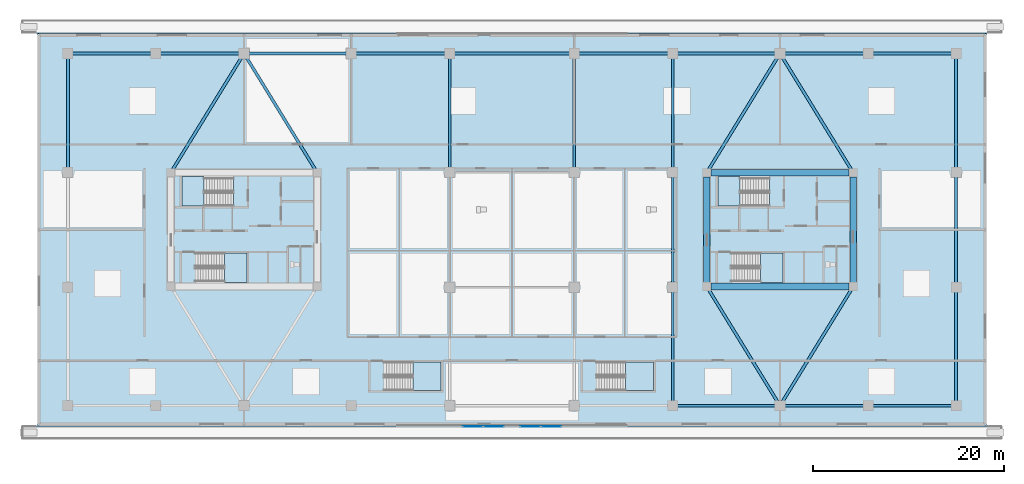
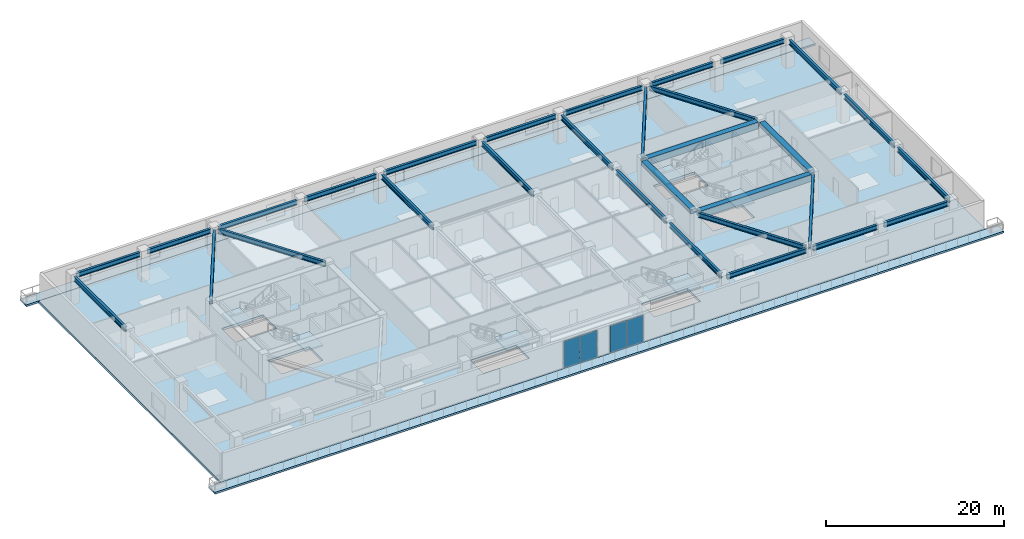
# One storey, part 3 of 22: 31 beams, 9 slabs, 4 plates, 8 elements without a shape of their own.
"""IFC4 building model written with IfcOpenShell, lengths in metres."""

from ifc_helpers import new_model, si_unit, direction, frame, origin, origin_2d, place, context, subcontext, project, spatial, polyline, rectangle, i_section, outline, extrude, source, transform, mapped, material, layer, layer_set, material_profile, profile_set, type_object, type_shapes, element, aggregate, save


model = new_model("IFC4")

# Units and contexts
model_context = context("Model", 3, precision=1e-05, world=origin(), true_north=direction((0.0, 1.0)))
body_context = subcontext(model_context, "Body", "Model", "MODEL_VIEW")
ifc_project = project(units=[si_unit("LENGTHUNIT", "METRE"), si_unit("AREAUNIT", "SQUARE_METRE"), si_unit("VOLUMEUNIT", "CUBIC_METRE"), si_unit("PLANEANGLEUNIT", "RADIAN"), si_unit("MASSUNIT", "GRAM", prefix="KILO")], contexts=[model_context])

# Site, building, storey
site_placement = place(None, origin())
site = spatial("IfcSite", under=ifc_project, at=site_placement, CompositionType="ELEMENT")
building_placement = place(site_placement, origin())
building = spatial("IfcBuilding", under=site, at=building_placement, Name="Norrkilde Senior Care Towers", CompositionType="ELEMENT")
storey_placement = place(building_placement, frame((0.0, 0.0, 12.60009765625)))
storey = spatial("IfcBuildingStorey", under=building, at=storey_placement, Name="L03", CompositionType="ELEMENT", Elevation=12.60009765625)

# Beams
ifc_material_1 = material(Name="Concrete C60/75", Category="concrete")
ifc_material_profile_1 = material_profile(ifc_material_1, rectangle(XDim=0.699951171875, YDim=0.89990234375, at=origin_2d()), Name="RC BM 700x900")
ifc_profile_set_1 = profile_set([ifc_material_profile_1], Name="Concrete C60/75")
beam_type_1 = type_object("IfcBeamType", Name="Core Coupling Girder 700x900", PredefinedType="USERDEFINED", material=ifc_profile_set_1)
shared_shape_1 = source(origin(), body_context, "Body", "SweptSolid", [
    extrude(rectangle(XDim=0.699951171875, YDim=0.89990234375, at=origin_2d()), origin(), (0.0, 0.0, 1.0), 14.43994140625),
])
type_shapes(beam_type_1, [shared_shape_1])
for number, where, z_axis, x_axis, name in (
    (1, (20.780029296875, 5.949951171875, 3.429931640625), (1.0, 0.0, 0.0), (0.0, 1.0, 0.0), "L03 Core E N Coupling Girder"),
    (2, (20.780029296875, -5.949951171875, 3.429931640625), (1.0, 0.0, 0.0), (0.0, 1.0, 0.0), "L03 Core E S Coupling Girder"),
):
    element("IfcBeam", number, at=place(storey_placement, frame(where, z_axis=z_axis, x_axis=x_axis)), inside=storey, type_object=beam_type_1, Name=name, ObjectType="GIRDER", PredefinedType="USERDEFINED", context=body_context, shape_type="MappedRepresentation", body=[
        mapped(shared_shape_1, transform((0.0, 0.0, 0.0), x_axis=(1.0, 0.0, 0.0), y_axis=(0.0, 1.0, 0.0), z_axis=(0.0, 0.0, 1.0), scale=1.0)),
    ])
ifc_material_profile_2 = material_profile(ifc_material_1, rectangle(XDim=0.699951171875, YDim=0.550048828125, at=origin_2d()), Name="RC BM 700x550")
ifc_profile_set_2 = profile_set([ifc_material_profile_2], Name="Concrete C60/75")
beam_type_2 = type_object("IfcBeamType", Name="Core Portal Coupling Beam 700x550", PredefinedType="USERDEFINED", material=ifc_profile_set_2)
shared_shape_2 = source(origin(), body_context, "Body", "SweptSolid", [
    extrude(rectangle(XDim=0.699951171875, YDim=0.550048828125, at=origin_2d()), origin(), (0.0, 0.0, 1.0), 11.0400390625),
])
type_shapes(beam_type_2, [shared_shape_2])
for number, where, z_axis, x_axis, name in (
    (3, (20.35009765625, -5.52001953125, 3.60498046875), (0.0, 1.0, 0.0), (-1.0, 0.0, 0.0), "L03 Core E W Coupling Girder"),
    (4, (35.64990234375, -5.52001953125, 3.60498046875), (0.0, 1.0, 0.0), (-1.0, 0.0, 0.0), "L03 Core E E Coupling Girder"),
):
    element("IfcBeam", number, at=place(storey_placement, frame(where, z_axis=z_axis, x_axis=x_axis)), inside=storey, type_object=beam_type_2, Name=name, ObjectType="GIRDER", PredefinedType="USERDEFINED", context=body_context, shape_type="MappedRepresentation", body=[
        mapped(shared_shape_2, transform((0.0, 0.0, 0.0), x_axis=(1.0, 0.0, 0.0), y_axis=(0.0, 1.0, 0.0), z_axis=(0.0, 0.0, 1.0), scale=1.0)),
    ])
ifc_material_2 = material(Name="Steel S355", Category="steel")
ifc_material_profile_3 = material_profile(ifc_material_2, i_section(OverallWidth=0.300048828125, OverallDepth=0.64990234375, WebThickness=0.01611328125, FlangeThickness=0.031005859375, FilletRadius=0.027099609375, at=origin_2d()), Name="HEB 650")
ifc_profile_set_3 = profile_set([ifc_material_profile_3], Name="Steel S355")
beam_type_3 = type_object("IfcBeamType", Name="Podium Primary Beam HEB650", PredefinedType="BEAM", material=ifc_profile_set_3)
shared_shape_3 = source(origin(), body_context, "Body", "SweptSolid", [
    extrude(i_section(OverallWidth=0.300048828125, OverallDepth=0.64990234375, WebThickness=0.01611328125, FlangeThickness=0.031005859375, FilletRadius=0.027099609375, at=origin_2d()), origin(), (0.0, 0.0, 1.0), 8.300048828125),
])
for number, where, z_axis, x_axis, name in (
    (5, (28.449951171875, -18.39990234375, 3.554931640625), (1.0, 0.0, 0.0), (0.0, 1.0, 0.0), "L03 Podium E-W Frame Beam 1.8"),
    (6, (37.64990234375, -18.39990234375, 3.554931640625), (1.0, 0.0, 0.0), (0.0, 1.0, 0.0), "L03 Podium E-W Frame Beam 1.9"),
    (7, (-45.949951171875, 18.39990234375, 3.554931640625), (1.0, 0.0, 0.0), (0.0, 1.0, 0.0), "L03 Podium E-W Frame Beam 2.1"),
    (8, (-36.75, 18.39990234375, 3.554931640625), (1.0, 0.0, 0.0), (0.0, 1.0, 0.0), "L03 Podium E-W Frame Beam 2.2"),
    (9, (28.449951171875, 18.39990234375, 3.554931640625), (1.0, 0.0, 0.0), (0.0, 1.0, 0.0), "L03 Podium E-W Frame Beam 2.8"),
    (10, (37.64990234375, 18.39990234375, 3.554931640625), (1.0, 0.0, 0.0), (0.0, 1.0, 0.0), "L03 Podium E-W Frame Beam 2.9"),
):
    element("IfcBeam", number, at=place(storey_placement, frame(where, z_axis=z_axis, x_axis=x_axis)), inside=storey, type_object=beam_type_3, Name=name, PredefinedType="BEAM", context=body_context, shape_type="MappedRepresentation", body=[
        mapped(shared_shape_3, transform((0.0, 0.0, 0.0), x_axis=(1.0, 0.0, 0.0), y_axis=(0.0, 1.0, 0.0), z_axis=(0.0, 0.0, 1.0), scale=1.0)),
    ])
shared_shape_4 = source(origin(), body_context, "Body", "SweptSolid", [
    extrude(i_section(OverallWidth=0.300048828125, OverallDepth=0.64990234375, WebThickness=0.01611328125, FlangeThickness=0.031005859375, FilletRadius=0.027099609375, at=origin_2d()), origin(), (0.0, 0.0, 1.0), 10.300048828125),
])
for number, where, z_axis, x_axis, name in (
    (11, (17.25, -18.39990234375, 3.554931640625), (1.0, 0.0, 0.0), (0.0, 1.0, 0.0), "L03 Podium E-W Frame Beam 1.7"),
    (12, (-27.550048828125, 18.39990234375, 3.554931640625), (1.0, 0.0, 0.0), (0.0, 1.0, 0.0), "L03 Podium E-W Frame Beam 2.3"),
    (13, (17.25, 18.39990234375, 3.554931640625), (1.0, 0.0, 0.0), (0.0, 1.0, 0.0), "L03 Podium E-W Frame Beam 2.7"),
):
    element("IfcBeam", number, at=place(storey_placement, frame(where, z_axis=z_axis, x_axis=x_axis)), inside=storey, type_object=beam_type_3, Name=name, PredefinedType="BEAM", context=body_context, shape_type="MappedRepresentation", body=[
        mapped(shared_shape_4, transform((0.0, 0.0, 0.0), x_axis=(1.0, 0.0, 0.0), y_axis=(0.0, 1.0, 0.0), z_axis=(0.0, 0.0, 1.0), scale=1.0)),
    ])
shared_shape_5 = source(origin(), body_context, "Body", "SweptSolid", [
    extrude(i_section(OverallWidth=0.300048828125, OverallDepth=0.64990234375, WebThickness=0.01611328125, FlangeThickness=0.031005859375, FilletRadius=0.027099609375, at=origin_2d()), origin(), (0.0, 0.0, 1.0), 9.400146484375),
])
for number, where, z_axis, x_axis, name in (
    (14, (-16.35009765625, 18.39990234375, 3.554931640625), (1.0, 0.0, 0.0), (0.0, 1.0, 0.0), "L03 Podium E-W Frame Beam 2.4"),
    (15, (6.949951171875, 18.39990234375, 3.554931640625), (1.0, 0.0, 0.0), (0.0, 1.0, 0.0), "L03 Podium E-W Frame Beam 2.6"),
):
    element("IfcBeam", number, at=place(storey_placement, frame(where, z_axis=z_axis, x_axis=x_axis)), inside=storey, type_object=beam_type_3, Name=name, PredefinedType="BEAM", context=body_context, shape_type="MappedRepresentation", body=[
        mapped(shared_shape_5, transform((0.0, 0.0, 0.0), x_axis=(1.0, 0.0, 0.0), y_axis=(0.0, 1.0, 0.0), z_axis=(0.0, 0.0, 1.0), scale=1.0)),
    ])
shared_shape_6 = source(origin(), body_context, "Body", "SweptSolid", [
    extrude(i_section(OverallWidth=0.300048828125, OverallDepth=0.64990234375, WebThickness=0.01611328125, FlangeThickness=0.031005859375, FilletRadius=0.027099609375, at=origin_2d()), origin(), (0.0, 0.0, 1.0), 12.10009765625),
])
beam_placement = place(storey_placement, frame((-6.050048828125, 18.39990234375, 3.554931640625), z_axis=(1.0, 0.0, 0.0), x_axis=(0.0, 1.0, 0.0)))
element("IfcBeam", 16, at=beam_placement, inside=storey, type_object=beam_type_3, Name="L03 Podium E-W Frame Beam 2.5", PredefinedType="BEAM", context=body_context, shape_type="MappedRepresentation", body=[
    mapped(shared_shape_6, transform((0.0, 0.0, 0.0), x_axis=(1.0, 0.0, 0.0), y_axis=(0.0, 1.0, 0.0), z_axis=(0.0, 0.0, 1.0), scale=1.0)),
])
shared_shape_7 = source(origin(), body_context, "Body", "SweptSolid", [
    extrude(i_section(OverallWidth=0.300048828125, OverallDepth=0.64990234375, WebThickness=0.01611328125, FlangeThickness=0.031005859375, FilletRadius=0.027099609375, at=origin_2d()), origin(), (0.0, 0.0, 1.0), 11.5),
])
for number, where, z_axis, x_axis, name in (
    (17, (-46.39990234375, 6.449951171875, 3.554931640625), (0.0, 1.0, 0.0), (-1.0, 0.0, 0.0), "L03 Podium N-S Frame Beam 1.3"),
    (18, (-6.5, 6.449951171875, 3.554931640625), (0.0, 1.0, 0.0), (-1.0, 0.0, 0.0), "L03 Podium N-S Frame Beam 2.3"),
    (19, (6.5, 6.449951171875, 3.554931640625), (0.0, 1.0, 0.0), (-1.0, 0.0, 0.0), "L03 Podium N-S Frame Beam 3.3"),
    (20, (16.800048828125, -17.949951171875, 3.554931640625), (0.0, 1.0, 0.0), (-1.0, 0.0, 0.0), "L03 Podium N-S Frame Beam 4.1"),
    (21, (16.800048828125, 6.449951171875, 3.554931640625), (0.0, 1.0, 0.0), (-1.0, 0.0, 0.0), "L03 Podium N-S Frame Beam 4.3"),
    (22, (46.39990234375, -17.949951171875, 3.554931640625), (0.0, 1.0, 0.0), (-1.0, 0.0, 0.0), "L03 Podium N-S Frame Beam 5.1"),
    (23, (46.39990234375, 6.449951171875, 3.554931640625), (0.0, 1.0, 0.0), (-1.0, 0.0, 0.0), "L03 Podium N-S Frame Beam 5.3"),
):
    element("IfcBeam", number, at=place(storey_placement, frame(where, z_axis=z_axis, x_axis=x_axis)), inside=storey, type_object=beam_type_3, Name=name, PredefinedType="BEAM", context=body_context, shape_type="MappedRepresentation", body=[
        mapped(shared_shape_7, transform((0.0, 0.0, 0.0), x_axis=(1.0, 0.0, 0.0), y_axis=(0.0, 1.0, 0.0), z_axis=(0.0, 0.0, 1.0), scale=1.0)),
    ])
shared_shape_8 = source(origin(), body_context, "Body", "SweptSolid", [
    extrude(i_section(OverallWidth=0.300048828125, OverallDepth=0.64990234375, WebThickness=0.01611328125, FlangeThickness=0.031005859375, FilletRadius=0.027099609375, at=origin_2d()), origin(), (0.0, 0.0, 1.0), 11.10009765625),
])
for number, where, z_axis, x_axis, name in (
    (24, (16.800048828125, -5.550048828125, 3.554931640625), (0.0, 1.0, 0.0), (-1.0, 0.0, 0.0), "L03 Podium N-S Frame Beam 4.2"),
    (25, (46.39990234375, -5.550048828125, 3.554931640625), (0.0, 1.0, 0.0), (-1.0, 0.0, 0.0), "L03 Podium N-S Frame Beam 5.2"),
):
    element("IfcBeam", number, at=place(storey_placement, frame(where, z_axis=z_axis, x_axis=x_axis)), inside=storey, type_object=beam_type_3, Name=name, PredefinedType="BEAM", context=body_context, shape_type="MappedRepresentation", body=[
        mapped(shared_shape_8, transform((0.0, 0.0, 0.0), x_axis=(1.0, 0.0, 0.0), y_axis=(0.0, 1.0, 0.0), z_axis=(0.0, 0.0, 1.0), scale=1.0)),
    ])
shared_shape_9 = source(origin(), body_context, "Body", "SweptSolid", [
    extrude(i_section(OverallWidth=0.300048828125, OverallDepth=0.64990234375, WebThickness=0.01611328125, FlangeThickness=0.031005859375, FilletRadius=0.027099609375, at=origin_2d()), origin(), (0.0, 0.0, 1.0), 13.742431640625),
])
type_shapes(beam_type_3, [shared_shape_3, shared_shape_4, shared_shape_5, shared_shape_6, shared_shape_7, shared_shape_8, shared_shape_9])
for number, where, z_axis, x_axis, name in (
    (26, (-28.235595703125, 18.0166015625, 3.554931640625), (-0.523527368138, -0.852008858411, 0.0), (0.852008858411, -0.523527368138, 0.0), "L03 Core W Tie Beam 3"),
    (27, (-27.764404296875, 18.0166015625, 3.554931640625), (0.523527368138, -0.852008858411, 0.0), (0.852008858411, 0.523527368138, 0.0), "L03 Core W Tie Beam 4"),
    (28, (27.764404296875, -18.0166015625, 3.554931640625), (-0.523527368138, 0.852008858411, 0.0), (-0.852008858411, -0.523527368138, 0.0), "L03 Core E Tie Beam 1"),
    (29, (28.235595703125, -18.0166015625, 3.554931640625), (0.523527368138, 0.852008858411, 0.0), (-0.852008858411, 0.523527368138, 0.0), "L03 Core E Tie Beam 2"),
    (30, (27.764404296875, 18.0166015625, 3.554931640625), (-0.523527368138, -0.852008858411, 0.0), (0.852008858411, -0.523527368138, 0.0), "L03 Core E Tie Beam 3"),
    (31, (28.235595703125, 18.0166015625, 3.554931640625), (0.523527368138, -0.852008858411, 0.0), (0.852008858411, 0.523527368138, 0.0), "L03 Core E Tie Beam 4"),
):
    element("IfcBeam", number, at=place(storey_placement, frame(where, z_axis=z_axis, x_axis=x_axis)), inside=storey, type_object=beam_type_3, Name=name, PredefinedType="BEAM", context=body_context, shape_type="MappedRepresentation", body=[
        mapped(shared_shape_9, transform((0.0, 0.0, 0.0), x_axis=(1.0, 0.0, 0.0), y_axis=(0.0, 1.0, 0.0), z_axis=(0.0, 0.0, 1.0), scale=1.0)),
    ])

# Slabs
ifc_material_3 = material(Name="Concrete C45/55", Category="concrete")
ifc_layer_1 = layer(ifc_material_3, 0.22998046875)
ifc_layer_set_1 = layer_set([ifc_layer_1], Name="Concrete C45/55")
slab_type_1 = type_object("IfcSlabType", Name="Cascading Garden Terrace Slab 230", PredefinedType="FLOOR", material=ifc_layer_set_1)
slab_1_placement = place(storey_placement, frame((0.0, 0.0, -0.22998046875)))
element("IfcSlab", 32, at=slab_1_placement, inside=storey, type_object=slab_type_1, Name="L03 S Cascading Rehabilitation Garden Terrace", PredefinedType="FLOOR", context=body_context, shape_type="SweptSolid", body=[
    extrude(outline(polyline([(-51.199951171875, -21.89990234375), (51.199951171875, -21.89990234375), (51.199951171875, -20.5048828125), (-51.199951171875, -20.5048828125), (-51.199951171875, -21.89990234375)])), origin(), (0.0, 0.0, 1.0), 0.22998046875),
])
slab_2_placement = place(storey_placement, frame((0.0, 0.0, -0.22998046875)))
element("IfcSlab", 33, at=slab_2_placement, inside=storey, type_object=slab_type_1, Name="L03 N Cascading Rehabilitation Garden Terrace", PredefinedType="FLOOR", context=body_context, shape_type="SweptSolid", body=[
    extrude(outline(polyline([(-51.199951171875, 20.5048828125), (51.199951171875, 20.5048828125), (51.199951171875, 21.89990234375), (-51.199951171875, 21.89990234375), (-51.199951171875, 20.5048828125)])), origin(), (0.0, 0.0, 1.0), 0.22998046875),
])
ifc_material_4 = material(Name="Concrete C50/60", Category="concrete")
ifc_layer_2 = layer(ifc_material_4, 0.320068359375)
ifc_layer_set_2 = layer_set([ifc_layer_2], Name="Concrete C50/60")
slab_type_2 = type_object("IfcSlabType", Name="Podium Clinic Floor Slab 320", PredefinedType="FLOOR", material=ifc_layer_set_2)
slab_3_placement = place(storey_placement, frame((0.0, 0.0, -0.320068359375)))
element("IfcSlab", 34, at=slab_3_placement, inside=storey, type_object=slab_type_2, Name="L03 Structural Podium Slab", PredefinedType="FLOOR", context=body_context, shape_type="SweptSolid", body=[
    extrude(outline(polyline([(-49.60009765625, 20.5), (49.60009765625, 20.5), (49.60009765625, -20.5), (-49.60009765625, -20.5), (-49.60009765625, 20.5)]), holes=[polyline([(-34.48193359375, 2.468017578125), (-29.117919921875, 2.468017578125), (-29.117919921875, 5.52490234375), (-34.48193359375, 5.52490234375), (-34.48193359375, 2.468017578125)]), polyline([(-27.718017578125, -5.52490234375), (-27.718017578125, -2.468017578125), (-33.08203125, -2.468017578125), (-33.08203125, -5.52490234375), (-27.718017578125, -5.52490234375)]), polyline([(26.882080078125, 5.52490234375), (21.51806640625, 5.52490234375), (21.51806640625, 2.468017578125), (26.882080078125, 2.468017578125), (26.882080078125, 5.52490234375)]), polyline([(22.91796875, -2.468017578125), (22.91796875, -5.52490234375), (28.281982421875, -5.52490234375), (28.281982421875, -2.468017578125), (22.91796875, -2.468017578125)]), polyline([(-7.41796875, -13.867919921875), (-13.382080078125, -13.867919921875), (-13.382080078125, -16.781982421875), (-7.41796875, -16.781982421875), (-7.41796875, -13.867919921875)]), polyline([(14.781982421875, -16.781982421875), (14.781982421875, -13.867919921875), (8.818115234375, -13.867919921875), (8.818115234375, -16.781982421875), (14.781982421875, -16.781982421875)])]), origin(), (0.0, 0.0, 1.0), 0.320068359375),
])

# Stair, slab
stair_type = type_object("IfcStairType", Name="Core Protected Dogleg Stair Podium 4200", PredefinedType="HALF_TURN_STAIR", material=ifc_material_3)
stair_1_placement = place(storey_placement, origin())
stair_1 = element("IfcStair", 35, at=stair_1_placement, inside=storey, type_object=stair_type, Name="L03 Protected Core Stair W1", PredefinedType="HALF_TURN_STAIR")
ifc_layer_3 = layer(ifc_material_3, 0.199951171875)
ifc_layer_set_3 = layer_set([ifc_layer_3], Name="Concrete C45/55")
slab_type_3 = type_object("IfcSlabType", Name="Stair Landing Slab 200", PredefinedType="LANDING", material=ifc_layer_set_3)
slab_4_placement = place(storey_placement, frame((0.0, 0.0, 1.89990234375)))
slab_4 = element("IfcSlab", 36, at=slab_4_placement, type_object=slab_type_3, Name="ST-W1 landing 1", PredefinedType="LANDING", context=body_context, shape_type="SweptSolid", body=[
    extrude(outline(polyline([(-32.179931640625, 5.52490234375), (-34.5, 5.52490234375), (-34.5, 2.449951171875), (-32.179931640625, 2.449951171875), (-32.179931640625, 5.52490234375)])), origin(), (0.0, 0.0, 1.0), 0.199951171875),
])
aggregate(stair_1, [slab_4])

stair_2_placement = place(storey_placement, origin())
stair_2 = element("IfcStair", 37, at=stair_2_placement, inside=storey, type_object=stair_type, Name="L03 Protected Core Stair W2", PredefinedType="HALF_TURN_STAIR")
slab_5_placement = place(storey_placement, frame((0.0, 0.0, 1.89990234375)))
slab_5 = element("IfcSlab", 38, at=slab_5_placement, type_object=slab_type_3, Name="ST-W2 landing 1", PredefinedType="LANDING", context=body_context, shape_type="SweptSolid", body=[
    extrude(outline(polyline([(-30.02001953125, -5.52490234375), (-27.699951171875, -5.52490234375), (-27.699951171875, -2.449951171875), (-30.02001953125, -2.449951171875), (-30.02001953125, -5.52490234375)])), origin(), (0.0, 0.0, 1.0), 0.199951171875),
])
aggregate(stair_2, [slab_5])

stair_3_placement = place(storey_placement, origin())
stair_3 = element("IfcStair", 39, at=stair_3_placement, inside=storey, type_object=stair_type, Name="L03 Protected Core Stair E1", PredefinedType="HALF_TURN_STAIR")
slab_6_placement = place(storey_placement, frame((0.0, 0.0, 1.89990234375)))
slab_6 = element("IfcSlab", 40, at=slab_6_placement, type_object=slab_type_3, Name="ST-E1 landing 1", PredefinedType="LANDING", context=body_context, shape_type="SweptSolid", body=[
    extrude(outline(polyline([(23.820068359375, 5.52490234375), (21.5, 5.52490234375), (21.5, 2.449951171875), (23.820068359375, 2.449951171875), (23.820068359375, 5.52490234375)])), origin(), (0.0, 0.0, 1.0), 0.199951171875),
])
aggregate(stair_3, [slab_6])

stair_4_placement = place(storey_placement, origin())
stair_4 = element("IfcStair", 41, at=stair_4_placement, inside=storey, type_object=stair_type, Name="L03 Protected Core Stair E2", PredefinedType="HALF_TURN_STAIR")
slab_7_placement = place(storey_placement, frame((0.0, 0.0, 1.89990234375)))
slab_7 = element("IfcSlab", 42, at=slab_7_placement, type_object=slab_type_3, Name="ST-E2 landing 1", PredefinedType="LANDING", context=body_context, shape_type="SweptSolid", body=[
    extrude(outline(polyline([(25.97998046875, -5.52490234375), (28.300048828125, -5.52490234375), (28.300048828125, -2.449951171875), (25.97998046875, -2.449951171875), (25.97998046875, -5.52490234375)])), origin(), (0.0, 0.0, 1.0), 0.199951171875),
])
aggregate(stair_4, [slab_7])

stair_5_placement = place(storey_placement, origin())
stair_5 = element("IfcStair", 43, at=stair_5_placement, inside=storey, type_object=stair_type, Name="L03 Podium Clinic Exit Stair P1", PredefinedType="HALF_TURN_STAIR")
slab_8_placement = place(storey_placement, frame((0.0, 0.0, 1.89990234375)))
slab_8 = element("IfcSlab", 44, at=slab_8_placement, type_object=slab_type_3, Name="ST-P1 landing 1", PredefinedType="LANDING", context=body_context, shape_type="SweptSolid", body=[
    extrude(outline(polyline([(-10.320068359375, -16.800048828125), (-7.39990234375, -16.800048828125), (-7.39990234375, -13.85009765625), (-10.320068359375, -13.85009765625), (-10.320068359375, -16.800048828125)])), origin(), (0.0, 0.0, 1.0), 0.199951171875),
])
aggregate(stair_5, [slab_8])

stair_6_placement = place(storey_placement, origin())
stair_6 = element("IfcStair", 45, at=stair_6_placement, inside=storey, type_object=stair_type, Name="L03 Podium Clinic Exit Stair P2", PredefinedType="HALF_TURN_STAIR")
slab_9_placement = place(storey_placement, frame((0.0, 0.0, 1.89990234375)))
slab_9 = element("IfcSlab", 46, at=slab_9_placement, type_object=slab_type_3, Name="ST-P2 landing 1", PredefinedType="LANDING", context=body_context, shape_type="SweptSolid", body=[
    extrude(outline(polyline([(11.8798828125, -16.800048828125), (14.800048828125, -16.800048828125), (14.800048828125, -13.85009765625), (11.8798828125, -13.85009765625), (11.8798828125, -16.800048828125)])), origin(), (0.0, 0.0, 1.0), 0.199951171875),
])
aggregate(stair_6, [slab_9])

# Curtain wall, plates
ifc_material_5 = material(Name="Triple Low-E Insulated Glazing", Category="glass")
ifc_layer_4 = layer(ifc_material_5, 0.219970703125)
ifc_layer_set_4 = layer_set([ifc_layer_4], Name="Triple Low-E Insulated Glazing")
curtain_wall_type = type_object("IfcCurtainWallType", Name="CW1 Podium Clinic Terracotta Curtain Wall", PredefinedType="NOTDEFINED", material=ifc_layer_set_4)
curtain_wall_1_placement = place(storey_placement, origin())
curtain_wall_1 = element("IfcCurtainWall", 47, at=curtain_wall_1_placement, inside=storey, type_object=curtain_wall_type, Name="L03 Podium Portal Feature Curtain Wall 1", PredefinedType="NOTDEFINED")
ifc_layer_5 = layer(ifc_material_5, 0.035888671875)
ifc_layer_set_5 = layer_set([ifc_layer_5], Name="Triple Low-E Insulated Glazing")
plate_type = type_object("IfcPlateType", Name="Triple Low-E Vision Curtain Panel 36", PredefinedType="CURTAIN_PANEL", material=ifc_layer_set_5)
shared_shape_10 = source(origin(), body_context, "Body", "SweptSolid", [
    extrude(rectangle(XDim=2.094970703125, YDim=0.035888671875, at=origin_2d()), origin(), (0.0, 0.0, 1.0), 3.75),
])
type_shapes(plate_type, [shared_shape_10])
plate_1_placement = place(storey_placement, frame((-1.91748046875, -20.56005859375, 0.06494140625), z_axis=(0.0, 0.0, 1.0), x_axis=(-1.0, 0.0, 0.0)))
plate_1 = element("IfcPlate", 48, at=plate_1_placement, type_object=plate_type, Name="CW-1 panel 1.1", PredefinedType="CURTAIN_PANEL", context=body_context, shape_type="MappedRepresentation", body=[
    mapped(shared_shape_10, transform((0.0, 0.0, 0.0), x_axis=(1.0, 0.0, 0.0), y_axis=(0.0, 1.0, 0.0), z_axis=(0.0, 0.0, 1.0), scale=1.0)),
])
plate_2_placement = place(storey_placement, frame((-4.08251953125, -20.56005859375, 0.06494140625), z_axis=(0.0, 0.0, 1.0), x_axis=(-1.0, 0.0, 0.0)))
plate_2 = element("IfcPlate", 49, at=plate_2_placement, type_object=plate_type, Name="CW-1 panel 2.1", PredefinedType="CURTAIN_PANEL", context=body_context, shape_type="MappedRepresentation", body=[
    mapped(shared_shape_10, transform((0.0, 0.0, 0.0), x_axis=(1.0, 0.0, 0.0), y_axis=(0.0, 1.0, 0.0), z_axis=(0.0, 0.0, 1.0), scale=1.0)),
])
aggregate(curtain_wall_1, [plate_1, plate_2])

curtain_wall_2_placement = place(storey_placement, origin())
curtain_wall_2 = element("IfcCurtainWall", 50, at=curtain_wall_2_placement, inside=storey, type_object=curtain_wall_type, Name="L03 Podium Portal Feature Curtain Wall 2", PredefinedType="NOTDEFINED")
plate_3_placement = place(storey_placement, frame((4.08251953125, -20.56005859375, 0.06494140625), z_axis=(0.0, 0.0, 1.0), x_axis=(-1.0, 0.0, 0.0)))
plate_3 = element("IfcPlate", 51, at=plate_3_placement, type_object=plate_type, Name="CW-1 panel 1.1", PredefinedType="CURTAIN_PANEL", context=body_context, shape_type="MappedRepresentation", body=[
    mapped(shared_shape_10, transform((0.0, 0.0, 0.0), x_axis=(1.0, 0.0, 0.0), y_axis=(0.0, 1.0, 0.0), z_axis=(0.0, 0.0, 1.0), scale=1.0)),
])
plate_4_placement = place(storey_placement, frame((1.91748046875, -20.56005859375, 0.06494140625), z_axis=(0.0, 0.0, 1.0), x_axis=(-1.0, 0.0, 0.0)))
plate_4 = element("IfcPlate", 52, at=plate_4_placement, type_object=plate_type, Name="CW-1 panel 2.1", PredefinedType="CURTAIN_PANEL", context=body_context, shape_type="MappedRepresentation", body=[
    mapped(shared_shape_10, transform((0.0, 0.0, 0.0), x_axis=(1.0, 0.0, 0.0), y_axis=(0.0, 1.0, 0.0), z_axis=(0.0, 0.0, 1.0), scale=1.0)),
])
aggregate(curtain_wall_2, [plate_3, plate_4])

save(model, "model.ifc")
